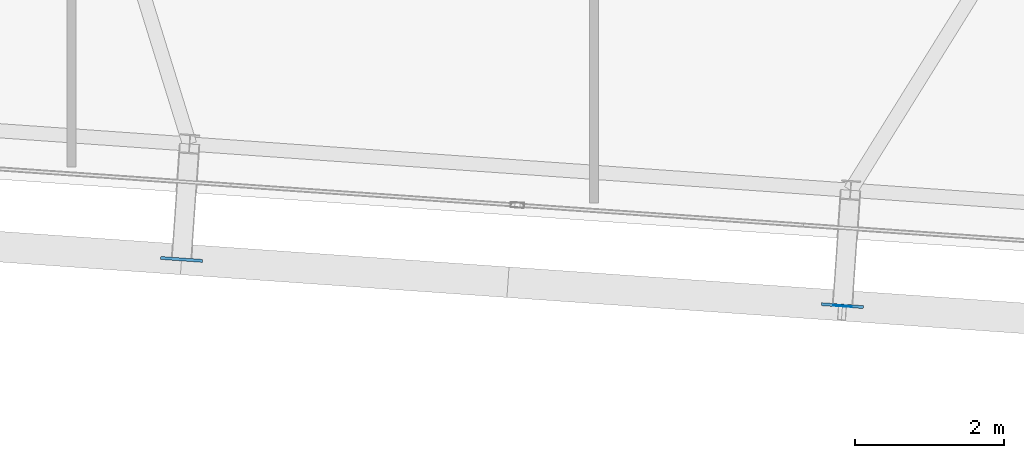
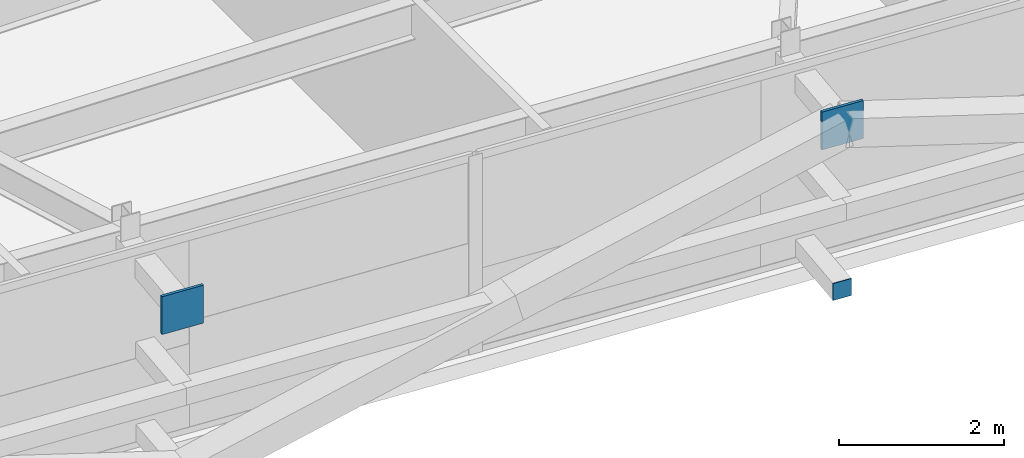
# One storey, part 28 of 39: 3 plates.
"""IFC4 building model written with IfcOpenShell, lengths in metres."""

from ifc_helpers import new_model, si_unit, direction, frame, origin, origin_2d, place, context, subcontext, project, spatial, rectangle, extrude, source, transform, mapped, material, layer, layer_set, type_object, element, save


model = new_model("IFC4")

# Units and contexts
model_context = context("Model", 3, precision=1e-05, world=origin(), true_north=direction((0.0, 1.0)))
body_context = subcontext(model_context, "Body", "Model", "MODEL_VIEW")
ifc_project = project(units=[si_unit("LENGTHUNIT", "METRE"), si_unit("AREAUNIT", "SQUARE_METRE"), si_unit("VOLUMEUNIT", "CUBIC_METRE"), si_unit("PLANEANGLEUNIT", "RADIAN"), si_unit("MASSUNIT", "GRAM", prefix="KILO")], contexts=[model_context])

# Site, building, storey
site_placement = place(None, origin())
site = spatial("IfcSite", under=ifc_project, at=site_placement, CompositionType="ELEMENT")
building_placement = place(site_placement, origin())
building = spatial("IfcBuilding", under=site, at=building_placement, Name="Taldren Reach Tower", CompositionType="ELEMENT")
storey_placement = place(building_placement, frame((0.0, 0.0, 151.89990234375)))
storey = spatial("IfcBuildingStorey", under=building, at=storey_placement, Name="L46", CompositionType="ELEMENT", Elevation=151.89990234375)

# Plates
ifc_material_1 = material(Name="Steel Gr 450 (C450L0)", Category="steel")
ifc_layer_1 = layer(ifc_material_1, 0.0400390625)
ifc_layer_set_1 = layer_set([ifc_layer_1], Name="Steel Gr 450 (C450L0)")
plate_type_1 = type_object("IfcPlateType", Name="PL-GUSSET-40", PredefinedType="SHEET", material=ifc_layer_set_1)
shared_shape_1 = source(origin(), body_context, "Body", "SweptSolid", [
    extrude(rectangle(XDim=0.56005859375, YDim=0.0400390625, at=origin_2d()), origin(), (0.0, 0.0, 1.0), 0.56005859375),
])
for number, where, z_axis, x_axis, name in (
    (1, (29.47216796875, 2.55322265625, 2.3701171875), (0.0, 0.0, 1.0), (0.99756405026, -0.069756473744, 0.0), "Exoskeleton star-node gusset plate B3-S3 L46"),
    (2, (38.33056640625, 1.933837890625, 2.3701171875), (0.0, 0.0, 1.0), (0.99756405026, -0.069756473744, 0.0), "Exoskeleton star-node gusset plate B3-S4 L46"),
):
    element("IfcPlate", number, at=place(storey_placement, frame(where, z_axis=z_axis, x_axis=x_axis)), inside=storey, type_object=plate_type_1, Name=name, PredefinedType="SHEET", context=body_context, shape_type="MappedRepresentation", body=[
        mapped(shared_shape_1, transform((0.0, 0.0, 0.0), scale=1.0)),
    ])
ifc_material_2 = material(Name="Steel Gr 350 (C350L0)", Category="steel")
ifc_layer_2 = layer(ifc_material_2, 0.011962890625)
ifc_layer_set_2 = layer_set([ifc_layer_2], Name="Steel Gr 350 (C350L0)")
plate_type_2 = type_object("IfcPlateType", Name="PL-CAP-250", PredefinedType="SHEET", material=ifc_layer_set_2)
shared_shape_2 = source(origin(), body_context, "Body", "SweptSolid", [
    extrude(rectangle(XDim=0.25, YDim=0.011962890625, at=origin_2d()), origin(), (0.0, 0.0, 1.0), 0.25),
])
plate_placement = place(storey_placement, frame((38.330078125, 1.927978515625, 0.09521484375), z_axis=(0.0, 0.0, 1.0), x_axis=(0.99756405026, -0.069756473744, 0.0)))
element("IfcPlate", 3, at=plate_placement, inside=storey, type_object=plate_type_2, Name="Tie strut end cap plate B3-S4 L46", PredefinedType="SHEET", context=body_context, shape_type="MappedRepresentation", body=[
    mapped(shared_shape_2, transform((0.0, 0.0, 0.0), scale=1.0)),
])

save(model, "model.ifc")
